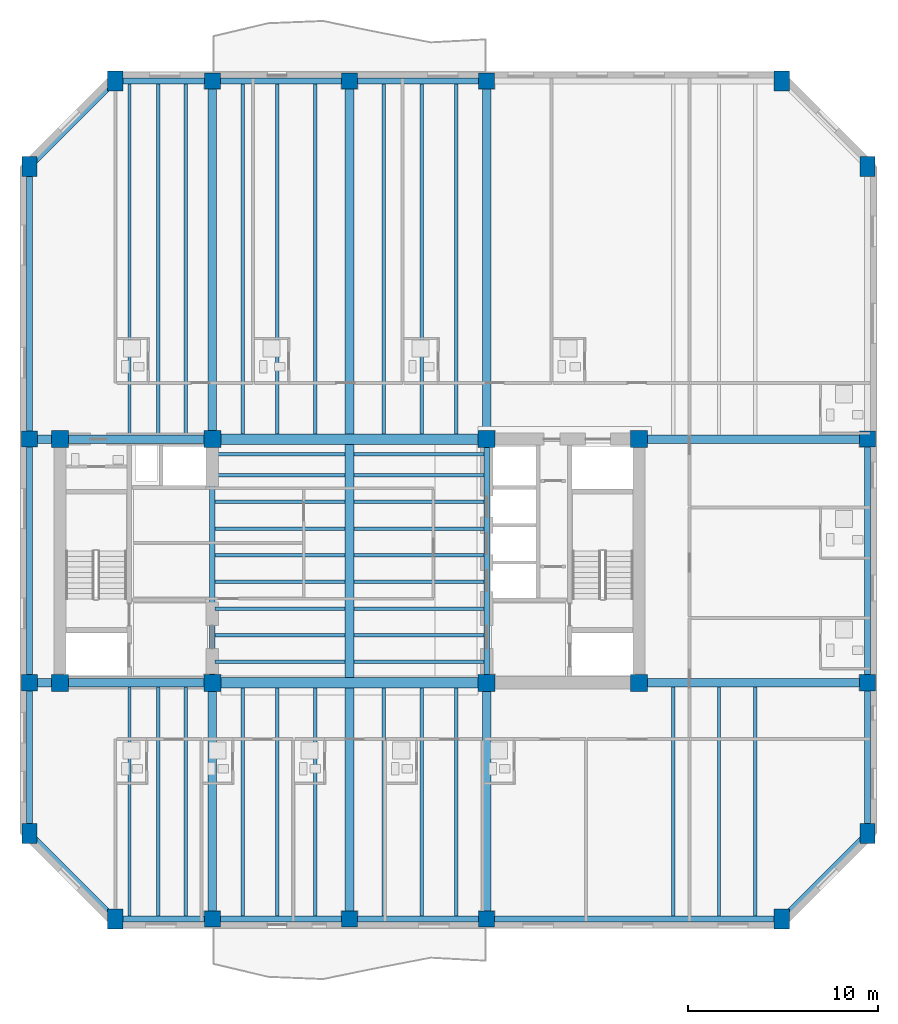
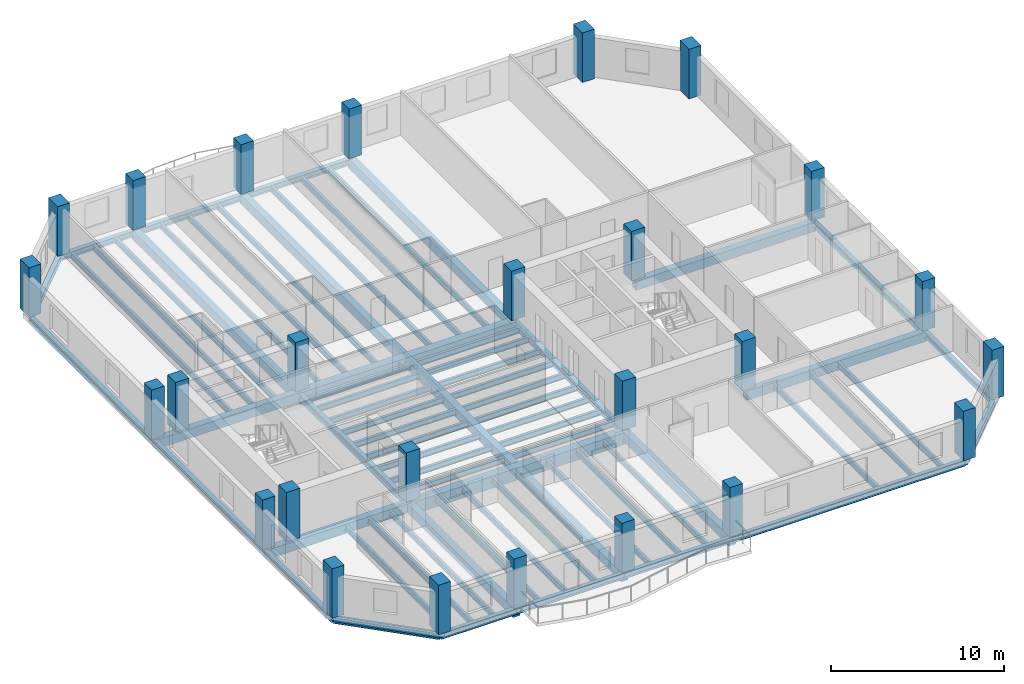
# One storey, part 1 of 11: 69 beams, 26 columns.
"""IFC4 building model written with IfcOpenShell, lengths in metres."""

from ifc_helpers import new_model, si_unit, direction, frame, origin, origin_2d, place, context, subcontext, project, spatial, rectangle, i_section, extrude, material, material_profile, profile_set, type_object, element, save


model = new_model("IFC4")

# Units and contexts
model_context = context("Model", 3, precision=1e-05, world=origin(), true_north=direction((0.0, 1.0)))
body_context = subcontext(model_context, "Body", "Model", "MODEL_VIEW")
ifc_project = project(units=[si_unit("LENGTHUNIT", "METRE"), si_unit("AREAUNIT", "SQUARE_METRE"), si_unit("VOLUMEUNIT", "CUBIC_METRE"), si_unit("PLANEANGLEUNIT", "RADIAN"), si_unit("MASSUNIT", "GRAM", prefix="KILO")], contexts=[model_context])

# Site, building, storey
site_placement = place(None, origin())
site = spatial("IfcSite", under=ifc_project, at=site_placement, CompositionType="ELEMENT")
building_placement = place(site_placement, origin())
building = spatial("IfcBuilding", under=site, at=building_placement, Name="Kranthara Brick Stack", CompositionType="ELEMENT")
storey_placement = place(building_placement, frame((0.0, 0.0, 172.800048828125)))
storey = spatial("IfcBuildingStorey", under=building, at=storey_placement, Name="L44", CompositionType="ELEMENT", Elevation=172.800048828125)

# Columns
ifc_material_1 = material(Name="Concrete C60/75", Category="concrete")
ifc_material_profile_1 = material_profile(ifc_material_1, rectangle(XDim=0.800048828125, YDim=1.050048828125, at=origin_2d()), Name="RC 800x1050")
ifc_profile_set_1 = profile_set([ifc_material_profile_1], Name="Concrete C60/75")
column_type_1 = type_object("IfcColumnType", Name="COL-CHAM-800x1050", PredefinedType="COLUMN", material=ifc_profile_set_1)
for number, where, z_axis, x_axis, name in (
    (1, (15.699951171875, 8.39990234375, 0.0), (0.0, 0.0, 1.0), (1.0, 0.0, 0.0), "L44 Column 09"),
    (2, (15.699951171875, 52.39990234375, 0.0), (0.0, 0.0, 1.0), (1.0, 0.0, 0.0), "L44 Column 10"),
    (3, (50.699951171875, 8.39990234375, 0.0), (0.0, 0.0, 1.0), (1.0, 0.0, 0.0), "L44 Column 17"),
    (4, (50.699951171875, 52.39990234375, 0.0), (0.0, 0.0, 1.0), (1.0, 0.0, 0.0), "L44 Column 18"),
    (5, (11.199951171875, 12.89990234375, 0.0), (0.0, 0.0, 1.0), (1.0, 0.0, 0.0), "L44 Column 19"),
    (6, (55.199951171875, 12.89990234375, 0.0), (0.0, 0.0, 1.0), (1.0, 0.0, 0.0), "L44 Column 20"),
    (7, (11.199951171875, 47.89990234375, 0.0), (0.0, 0.0, 1.0), (1.0, 0.0, 0.0), "L44 Column 25"),
    (8, (55.199951171875, 47.89990234375, 0.0), (0.0, 0.0, 1.0), (1.0, 0.0, 0.0), "L44 Column 26"),
):
    element("IfcColumn", number, at=place(storey_placement, frame(where, z_axis=z_axis, x_axis=x_axis)), inside=storey, type_object=column_type_1, Name=name, PredefinedType="COLUMN", context=body_context, shape_type="SweptSolid", body=[
        extrude(rectangle(XDim=0.800048828125, YDim=1.050048828125, at=origin_2d()), origin(), (0.0, 0.0, 1.0), 3.5),
    ])
ifc_material_2 = material(Name="Concrete C60/75", Category="concrete")
ifc_material_profile_2 = material_profile(ifc_material_2, rectangle(XDim=0.89990234375, YDim=0.89990234375, at=origin_2d()), Name="RC 900x900")
ifc_profile_set_2 = profile_set([ifc_material_profile_2], Name="Concrete C60/75")
column_type_2 = type_object("IfcColumnType", Name="COL-CORE-900", PredefinedType="COLUMN", material=ifc_profile_set_2)
for number, where, z_axis, x_axis, name in (
    (9, (12.800048828125, 20.800048828125, 0.0), (0.0, 0.0, 1.0), (1.0, 0.0, 0.0), "L44 Column 01"),
    (10, (20.800048828125, 20.800048828125, 0.0), (0.0, 0.0, 1.0), (1.0, 0.0, 0.0), "L44 Column 02"),
    (11, (12.800048828125, 33.60009765625, 0.0), (0.0, 0.0, 1.0), (1.0, 0.0, 0.0), "L44 Column 03"),
    (12, (20.800048828125, 33.60009765625, 0.0), (0.0, 0.0, 1.0), (1.0, 0.0, 0.0), "L44 Column 04"),
    (13, (35.199951171875, 20.800048828125, 0.0), (0.0, 0.0, 1.0), (1.0, 0.0, 0.0), "L44 Column 05"),
    (14, (43.199951171875, 20.800048828125, 0.0), (0.0, 0.0, 1.0), (1.0, 0.0, 0.0), "L44 Column 06"),
    (15, (35.199951171875, 33.60009765625, 0.0), (0.0, 0.0, 1.0), (1.0, 0.0, 0.0), "L44 Column 07"),
    (16, (43.199951171875, 33.60009765625, 0.0), (0.0, 0.0, 1.0), (1.0, 0.0, 0.0), "L44 Column 08"),
):
    element("IfcColumn", number, at=place(storey_placement, frame(where, z_axis=z_axis, x_axis=x_axis)), inside=storey, type_object=column_type_2, Name=name, PredefinedType="COLUMN", context=body_context, shape_type="SweptSolid", body=[
        extrude(rectangle(XDim=0.89990234375, YDim=0.89990234375, at=origin_2d()), origin(), (0.0, 0.0, 1.0), 3.5),
    ])
ifc_material_3 = material(Name="Concrete C50/60", Category="concrete")
ifc_material_profile_3 = material_profile(ifc_material_3, rectangle(XDim=0.85009765625, YDim=0.85009765625, at=origin_2d()), Name="RC 850x850")
ifc_profile_set_3 = profile_set([ifc_material_profile_3], Name="Concrete C50/60")
column_type_3 = type_object("IfcColumnType", Name="COL-PER-850", PredefinedType="COLUMN", material=ifc_profile_set_3)
for number, where, z_axis, x_axis, name in (
    (17, (20.800048828125, 8.39990234375, 0.0), (0.0, 0.0, 1.0), (1.0, 0.0, 0.0), "L44 Column 11"),
    (18, (20.800048828125, 52.39990234375, 0.0), (0.0, 0.0, 1.0), (1.0, 0.0, 0.0), "L44 Column 12"),
    (19, (28.0, 8.39990234375, 0.0), (0.0, 0.0, 1.0), (1.0, 0.0, 0.0), "L44 Column 13"),
    (20, (28.0, 52.39990234375, 0.0), (0.0, 0.0, 1.0), (1.0, 0.0, 0.0), "L44 Column 14"),
    (21, (35.199951171875, 8.39990234375, 0.0), (0.0, 0.0, 1.0), (1.0, 0.0, 0.0), "L44 Column 15"),
    (22, (35.199951171875, 52.39990234375, 0.0), (0.0, 0.0, 1.0), (1.0, 0.0, 0.0), "L44 Column 16"),
    (23, (11.199951171875, 20.800048828125, 0.0), (0.0, 0.0, 1.0), (1.0, 0.0, 0.0), "L44 Column 21"),
    (24, (55.199951171875, 20.800048828125, 0.0), (0.0, 0.0, 1.0), (1.0, 0.0, 0.0), "L44 Column 22"),
    (25, (11.199951171875, 33.60009765625, 0.0), (0.0, 0.0, 1.0), (1.0, 0.0, 0.0), "L44 Column 23"),
    (26, (55.199951171875, 33.60009765625, 0.0), (0.0, 0.0, 1.0), (1.0, 0.0, 0.0), "L44 Column 24"),
):
    element("IfcColumn", number, at=place(storey_placement, frame(where, z_axis=z_axis, x_axis=x_axis)), inside=storey, type_object=column_type_3, Name=name, PredefinedType="COLUMN", context=body_context, shape_type="SweptSolid", body=[
        extrude(rectangle(XDim=0.85009765625, YDim=0.85009765625, at=origin_2d()), origin(), (0.0, 0.0, 1.0), 3.5),
    ])

# Beams
ifc_material_4 = material(Name="Concrete C50/60", Category="concrete")
ifc_material_profile_4 = material_profile(ifc_material_4, rectangle(XDim=0.550048828125, YDim=0.85009765625, at=origin_2d()), Name="RC 550x850")
ifc_profile_set_4 = profile_set([ifc_material_profile_4], Name="Concrete C50/60")
beam_type_1 = type_object("IfcBeamType", Name="BM-CPL-RC850", PredefinedType="LINTEL", material=ifc_profile_set_4)
for number, where, z_axis, x_axis, name in (
    (27, (20.800048828125, 20.800048828125, -0.72509765625), (1.0, 0.0, 0.0), (0.0, 1.0, 0.0), "L44 Core Coupling Beam 001"),
    (28, (20.800048828125, 33.60009765625, -0.72509765625), (1.0, 0.0, 0.0), (0.0, 1.0, 0.0), "L44 Core Coupling Beam 002"),
):
    element("IfcBeam", number, at=place(storey_placement, frame(where, z_axis=z_axis, x_axis=x_axis)), inside=storey, type_object=beam_type_1, Name=name, PredefinedType="LINTEL", context=body_context, shape_type="SweptSolid", body=[
        extrude(rectangle(XDim=0.550048828125, YDim=0.85009765625, at=origin_2d()), origin(), (0.0, 0.0, 1.0), 14.39990234375),
    ])
ifc_material_5 = material(Name="Post-tensioned concrete C45/55", Category="concrete")
ifc_material_profile_5 = material_profile(ifc_material_5, rectangle(XDim=0.449951171875, YDim=0.64990234375, at=origin_2d()), Name="PT 450x650")
ifc_profile_set_5 = profile_set([ifc_material_profile_5], Name="Post-tensioned concrete C45/55")
beam_type_2 = type_object("IfcBeamType", Name="BM-FLR-PT650", PredefinedType="BEAM", material=ifc_profile_set_5)
beam_1_placement = place(storey_placement, frame((20.800048828125, 8.39990234375, -0.625), z_axis=(0.0, 1.0, 0.0), x_axis=(-1.0, 0.0, 0.0)))
element("IfcBeam", 29, at=beam_1_placement, inside=storey, type_object=beam_type_2, Name="L44 Primary Grid Girder 023", PredefinedType="BEAM", context=body_context, shape_type="SweptSolid", body=[
    extrude(rectangle(XDim=0.449951171875, YDim=0.64990234375, at=origin_2d()), origin(), (0.0, 0.0, 1.0), 12.400146484375),
])
beam_2_placement = place(storey_placement, frame((20.800048828125, 33.60009765625, -0.625), z_axis=(0.0, 1.0, 0.0), x_axis=(-1.0, 0.0, 0.0)))
element("IfcBeam", 30, at=beam_2_placement, inside=storey, type_object=beam_type_2, Name="L44 Primary Grid Girder 024", PredefinedType="BEAM", context=body_context, shape_type="SweptSolid", body=[
    extrude(rectangle(XDim=0.449951171875, YDim=0.64990234375, at=origin_2d()), origin(), (0.0, 0.0, 1.0), 18.7998046875),
])
beam_3_placement = place(storey_placement, frame((28.0, 8.39990234375, -0.625), z_axis=(0.0, 1.0, 0.0), x_axis=(-1.0, 0.0, 0.0)))
element("IfcBeam", 31, at=beam_3_placement, inside=storey, type_object=beam_type_2, Name="L44 Primary Grid Girder 025", PredefinedType="BEAM", context=body_context, shape_type="SweptSolid", body=[
    extrude(rectangle(XDim=0.449951171875, YDim=0.64990234375, at=origin_2d()), origin(), (0.0, 0.0, 1.0), 12.125),
])
beam_4_placement = place(storey_placement, frame((28.0, 21.074951171875, -0.625), z_axis=(0.0, 1.0, 0.0), x_axis=(-1.0, 0.0, 0.0)))
element("IfcBeam", 32, at=beam_4_placement, inside=storey, type_object=beam_type_2, Name="L44 Central Spine Girder 026", PredefinedType="BEAM", context=body_context, shape_type="SweptSolid", body=[
    extrude(rectangle(XDim=0.449951171875, YDim=0.64990234375, at=origin_2d()), origin(), (0.0, 0.0, 1.0), 12.25),
])
beam_5_placement = place(storey_placement, frame((28.0, 33.875, -0.625), z_axis=(0.0, 1.0, 0.0), x_axis=(-1.0, 0.0, 0.0)))
element("IfcBeam", 33, at=beam_5_placement, inside=storey, type_object=beam_type_2, Name="L44 Primary Grid Girder 027", PredefinedType="BEAM", context=body_context, shape_type="SweptSolid", body=[
    extrude(rectangle(XDim=0.449951171875, YDim=0.64990234375, at=origin_2d()), origin(), (0.0, 0.0, 1.0), 18.52490234375),
])
beam_6_placement = place(storey_placement, frame((35.199951171875, 8.39990234375, -0.625), z_axis=(0.0, 1.0, 0.0), x_axis=(-1.0, 0.0, 0.0)))
element("IfcBeam", 34, at=beam_6_placement, inside=storey, type_object=beam_type_2, Name="L44 Primary Grid Girder 028", PredefinedType="BEAM", context=body_context, shape_type="SweptSolid", body=[
    extrude(rectangle(XDim=0.449951171875, YDim=0.64990234375, at=origin_2d()), origin(), (0.0, 0.0, 1.0), 12.400146484375),
])
beam_7_placement = place(storey_placement, frame((35.199951171875, 33.60009765625, -0.625), z_axis=(0.0, 1.0, 0.0), x_axis=(-1.0, 0.0, 0.0)))
element("IfcBeam", 35, at=beam_7_placement, inside=storey, type_object=beam_type_2, Name="L44 Primary Grid Girder 029", PredefinedType="BEAM", context=body_context, shape_type="SweptSolid", body=[
    extrude(rectangle(XDim=0.449951171875, YDim=0.64990234375, at=origin_2d()), origin(), (0.0, 0.0, 1.0), 18.7998046875),
])
beam_8_placement = place(storey_placement, frame((11.199951171875, 20.800048828125, -0.625), z_axis=(1.0, 0.0, 0.0), x_axis=(0.0, 1.0, 0.0)))
element("IfcBeam", 36, at=beam_8_placement, inside=storey, type_object=beam_type_2, Name="L44 Primary Grid Girder 030", PredefinedType="BEAM", context=body_context, shape_type="SweptSolid", body=[
    extrude(rectangle(XDim=0.449951171875, YDim=0.64990234375, at=origin_2d()), origin(), (0.0, 0.0, 1.0), 9.60009765625),
])
beam_9_placement = place(storey_placement, frame((43.199951171875, 20.800048828125, -0.625), z_axis=(1.0, 0.0, 0.0), x_axis=(0.0, 1.0, 0.0)))
element("IfcBeam", 37, at=beam_9_placement, inside=storey, type_object=beam_type_2, Name="L44 Primary Grid Girder 031", PredefinedType="BEAM", context=body_context, shape_type="SweptSolid", body=[
    extrude(rectangle(XDim=0.449951171875, YDim=0.64990234375, at=origin_2d()), origin(), (0.0, 0.0, 1.0), 12.0),
])
beam_10_placement = place(storey_placement, frame((11.199951171875, 33.60009765625, -0.625), z_axis=(1.0, 0.0, 0.0), x_axis=(0.0, 1.0, 0.0)))
element("IfcBeam", 38, at=beam_10_placement, inside=storey, type_object=beam_type_2, Name="L44 Primary Grid Girder 032", PredefinedType="BEAM", context=body_context, shape_type="SweptSolid", body=[
    extrude(rectangle(XDim=0.449951171875, YDim=0.64990234375, at=origin_2d()), origin(), (0.0, 0.0, 1.0), 9.60009765625),
])
beam_11_placement = place(storey_placement, frame((43.199951171875, 33.60009765625, -0.625), z_axis=(1.0, 0.0, 0.0), x_axis=(0.0, 1.0, 0.0)))
element("IfcBeam", 39, at=beam_11_placement, inside=storey, type_object=beam_type_2, Name="L44 Primary Grid Girder 033", PredefinedType="BEAM", context=body_context, shape_type="SweptSolid", body=[
    extrude(rectangle(XDim=0.449951171875, YDim=0.64990234375, at=origin_2d()), origin(), (0.0, 0.0, 1.0), 12.0),
])
ifc_material_6 = material(Name="Steel S355", Category="steel")
ifc_material_profile_6 = material_profile(ifc_material_6, i_section(OverallWidth=0.179931640625, OverallDepth=0.39990234375, WebThickness=0.008544921875, FlangeThickness=0.013427734375, at=origin_2d()), Name="IPE 400")
ifc_profile_set_6 = profile_set([ifc_material_profile_6], Name="Steel S355")
beam_type_3 = type_object("IfcBeamType", Name="BM-JST-IPE400", PredefinedType="JOIST", material=ifc_profile_set_6)
for number, where, z_axis, x_axis, name in (
    (40, (20.949951171875, 21.89990234375, -0.5), (1.0, 0.0, 0.0), (0.0, 1.0, 0.0), "L44 Central Floor Joist 034"),
    (41, (28.22509765625, 21.89990234375, -0.5), (1.0, 0.0, 0.0), (0.0, 1.0, 0.0), "L44 Central Floor Joist 035"),
    (42, (20.949951171875, 23.300048828125, -0.5), (1.0, 0.0, 0.0), (0.0, 1.0, 0.0), "L44 Central Floor Joist 036"),
    (43, (28.22509765625, 23.300048828125, -0.5), (1.0, 0.0, 0.0), (0.0, 1.0, 0.0), "L44 Central Floor Joist 037"),
    (44, (20.949951171875, 24.699951171875, -0.5), (1.0, 0.0, 0.0), (0.0, 1.0, 0.0), "L44 Central Floor Joist 038"),
    (45, (28.22509765625, 24.699951171875, -0.5), (1.0, 0.0, 0.0), (0.0, 1.0, 0.0), "L44 Central Floor Joist 039"),
    (46, (20.949951171875, 26.10009765625, -0.5), (1.0, 0.0, 0.0), (0.0, 1.0, 0.0), "L44 Central Floor Joist 040"),
    (47, (28.22509765625, 26.10009765625, -0.5), (1.0, 0.0, 0.0), (0.0, 1.0, 0.0), "L44 Central Floor Joist 041"),
    (48, (20.949951171875, 27.5, -0.5), (1.0, 0.0, 0.0), (0.0, 1.0, 0.0), "L44 Central Floor Joist 042"),
    (49, (28.22509765625, 27.5, -0.5), (1.0, 0.0, 0.0), (0.0, 1.0, 0.0), "L44 Central Floor Joist 043"),
    (50, (20.949951171875, 28.89990234375, -0.5), (1.0, 0.0, 0.0), (0.0, 1.0, 0.0), "L44 Central Floor Joist 044"),
    (51, (28.22509765625, 28.89990234375, -0.5), (1.0, 0.0, 0.0), (0.0, 1.0, 0.0), "L44 Central Floor Joist 045"),
    (52, (20.949951171875, 30.300048828125, -0.5), (1.0, 0.0, 0.0), (0.0, 1.0, 0.0), "L44 Central Floor Joist 046"),
    (53, (28.22509765625, 30.300048828125, -0.5), (1.0, 0.0, 0.0), (0.0, 1.0, 0.0), "L44 Central Floor Joist 047"),
    (54, (20.949951171875, 31.699951171875, -0.5), (1.0, 0.0, 0.0), (0.0, 1.0, 0.0), "L44 Central Floor Joist 048"),
    (55, (28.22509765625, 31.699951171875, -0.5), (1.0, 0.0, 0.0), (0.0, 1.0, 0.0), "L44 Central Floor Joist 049"),
    (56, (20.949951171875, 32.800048828125, -0.5), (1.0, 0.0, 0.0), (0.0, 1.0, 0.0), "L44 Central Floor Joist 050"),
    (57, (28.22509765625, 32.800048828125, -0.5), (1.0, 0.0, 0.0), (0.0, 1.0, 0.0), "L44 Central Floor Joist 051"),
):
    element("IfcBeam", number, at=place(storey_placement, frame(where, z_axis=z_axis, x_axis=x_axis)), inside=storey, type_object=beam_type_3, Name=name, PredefinedType="JOIST", context=body_context, shape_type="SweptSolid", body=[
        extrude(i_section(OverallWidth=0.179931640625, OverallDepth=0.39990234375, WebThickness=0.008544921875, FlangeThickness=0.013427734375, at=origin_2d()), origin(), (0.0, 0.0, 1.0), 6.824951171875),
    ])
beam_12_placement = place(storey_placement, frame((16.449951171875, 8.550048828125, -0.5), z_axis=(0.0, 1.0, 0.0), x_axis=(-1.0, 0.0, 0.0)))
element("IfcBeam", 58, at=beam_12_placement, inside=storey, type_object=beam_type_3, Name="L44 South Wing Floor Joist 052", PredefinedType="JOIST", context=body_context, shape_type="SweptSolid", body=[
    extrude(i_section(OverallWidth=0.179931640625, OverallDepth=0.39990234375, WebThickness=0.008544921875, FlangeThickness=0.013427734375, at=origin_2d()), origin(), (0.0, 0.0, 1.0), 12.02490234375),
])
beam_13_placement = place(storey_placement, frame((16.449951171875, 33.824951171875, -0.5), z_axis=(0.0, 1.0, 0.0), x_axis=(-1.0, 0.0, 0.0)))
element("IfcBeam", 59, at=beam_13_placement, inside=storey, type_object=beam_type_3, Name="L44 North Wing Floor Joist 053", PredefinedType="JOIST", context=body_context, shape_type="SweptSolid", body=[
    extrude(i_section(OverallWidth=0.179931640625, OverallDepth=0.39990234375, WebThickness=0.008544921875, FlangeThickness=0.013427734375, at=origin_2d()), origin(), (0.0, 0.0, 1.0), 18.425048828125),
])
beam_14_placement = place(storey_placement, frame((17.949951171875, 8.550048828125, -0.5), z_axis=(0.0, 1.0, 0.0), x_axis=(-1.0, 0.0, 0.0)))
element("IfcBeam", 60, at=beam_14_placement, inside=storey, type_object=beam_type_3, Name="L44 South Wing Floor Joist 054", PredefinedType="JOIST", context=body_context, shape_type="SweptSolid", body=[
    extrude(i_section(OverallWidth=0.179931640625, OverallDepth=0.39990234375, WebThickness=0.008544921875, FlangeThickness=0.013427734375, at=origin_2d()), origin(), (0.0, 0.0, 1.0), 12.02490234375),
])
beam_15_placement = place(storey_placement, frame((17.949951171875, 33.824951171875, -0.5), z_axis=(0.0, 1.0, 0.0), x_axis=(-1.0, 0.0, 0.0)))
element("IfcBeam", 61, at=beam_15_placement, inside=storey, type_object=beam_type_3, Name="L44 North Wing Floor Joist 055", PredefinedType="JOIST", context=body_context, shape_type="SweptSolid", body=[
    extrude(i_section(OverallWidth=0.179931640625, OverallDepth=0.39990234375, WebThickness=0.008544921875, FlangeThickness=0.013427734375, at=origin_2d()), origin(), (0.0, 0.0, 1.0), 18.425048828125),
])
beam_16_placement = place(storey_placement, frame((19.39990234375, 8.550048828125, -0.5), z_axis=(0.0, 1.0, 0.0), x_axis=(-1.0, 0.0, 0.0)))
element("IfcBeam", 62, at=beam_16_placement, inside=storey, type_object=beam_type_3, Name="L44 South Wing Floor Joist 056", PredefinedType="JOIST", context=body_context, shape_type="SweptSolid", body=[
    extrude(i_section(OverallWidth=0.179931640625, OverallDepth=0.39990234375, WebThickness=0.008544921875, FlangeThickness=0.013427734375, at=origin_2d()), origin(), (0.0, 0.0, 1.0), 12.02490234375),
])
beam_17_placement = place(storey_placement, frame((19.39990234375, 33.824951171875, -0.5), z_axis=(0.0, 1.0, 0.0), x_axis=(-1.0, 0.0, 0.0)))
element("IfcBeam", 63, at=beam_17_placement, inside=storey, type_object=beam_type_3, Name="L44 North Wing Floor Joist 057", PredefinedType="JOIST", context=body_context, shape_type="SweptSolid", body=[
    extrude(i_section(OverallWidth=0.179931640625, OverallDepth=0.39990234375, WebThickness=0.008544921875, FlangeThickness=0.013427734375, at=origin_2d()), origin(), (0.0, 0.0, 1.0), 18.425048828125),
])
beam_18_placement = place(storey_placement, frame((22.39990234375, 8.550048828125, -0.5), z_axis=(0.0, 1.0, 0.0), x_axis=(-1.0, 0.0, 0.0)))
element("IfcBeam", 64, at=beam_18_placement, inside=storey, type_object=beam_type_3, Name="L44 South Wing Floor Joist 058", PredefinedType="JOIST", context=body_context, shape_type="SweptSolid", body=[
    extrude(i_section(OverallWidth=0.179931640625, OverallDepth=0.39990234375, WebThickness=0.008544921875, FlangeThickness=0.013427734375, at=origin_2d()), origin(), (0.0, 0.0, 1.0), 11.974853515625),
])
beam_19_placement = place(storey_placement, frame((22.39990234375, 33.875, -0.5), z_axis=(0.0, 1.0, 0.0), x_axis=(-1.0, 0.0, 0.0)))
element("IfcBeam", 65, at=beam_19_placement, inside=storey, type_object=beam_type_3, Name="L44 North Wing Floor Joist 059", PredefinedType="JOIST", context=body_context, shape_type="SweptSolid", body=[
    extrude(i_section(OverallWidth=0.179931640625, OverallDepth=0.39990234375, WebThickness=0.008544921875, FlangeThickness=0.013427734375, at=origin_2d()), origin(), (0.0, 0.0, 1.0), 18.375),
])
beam_20_placement = place(storey_placement, frame((24.199951171875, 8.550048828125, -0.5), z_axis=(0.0, 1.0, 0.0), x_axis=(-1.0, 0.0, 0.0)))
element("IfcBeam", 66, at=beam_20_placement, inside=storey, type_object=beam_type_3, Name="L44 South Wing Floor Joist 060", PredefinedType="JOIST", context=body_context, shape_type="SweptSolid", body=[
    extrude(i_section(OverallWidth=0.179931640625, OverallDepth=0.39990234375, WebThickness=0.008544921875, FlangeThickness=0.013427734375, at=origin_2d()), origin(), (0.0, 0.0, 1.0), 11.974853515625),
])
beam_21_placement = place(storey_placement, frame((24.199951171875, 33.875, -0.5), z_axis=(0.0, 1.0, 0.0), x_axis=(-1.0, 0.0, 0.0)))
element("IfcBeam", 67, at=beam_21_placement, inside=storey, type_object=beam_type_3, Name="L44 North Wing Floor Joist 061", PredefinedType="JOIST", context=body_context, shape_type="SweptSolid", body=[
    extrude(i_section(OverallWidth=0.179931640625, OverallDepth=0.39990234375, WebThickness=0.008544921875, FlangeThickness=0.013427734375, at=origin_2d()), origin(), (0.0, 0.0, 1.0), 18.375),
])
beam_22_placement = place(storey_placement, frame((26.199951171875, 8.550048828125, -0.5), z_axis=(0.0, 1.0, 0.0), x_axis=(-1.0, 0.0, 0.0)))
element("IfcBeam", 68, at=beam_22_placement, inside=storey, type_object=beam_type_3, Name="L44 South Wing Floor Joist 062", PredefinedType="JOIST", context=body_context, shape_type="SweptSolid", body=[
    extrude(i_section(OverallWidth=0.179931640625, OverallDepth=0.39990234375, WebThickness=0.008544921875, FlangeThickness=0.013427734375, at=origin_2d()), origin(), (0.0, 0.0, 1.0), 11.974853515625),
])
beam_23_placement = place(storey_placement, frame((26.199951171875, 33.875, -0.5), z_axis=(0.0, 1.0, 0.0), x_axis=(-1.0, 0.0, 0.0)))
element("IfcBeam", 69, at=beam_23_placement, inside=storey, type_object=beam_type_3, Name="L44 North Wing Floor Joist 063", PredefinedType="JOIST", context=body_context, shape_type="SweptSolid", body=[
    extrude(i_section(OverallWidth=0.179931640625, OverallDepth=0.39990234375, WebThickness=0.008544921875, FlangeThickness=0.013427734375, at=origin_2d()), origin(), (0.0, 0.0, 1.0), 18.375),
])
beam_24_placement = place(storey_placement, frame((29.800048828125, 8.550048828125, -0.5), z_axis=(0.0, 1.0, 0.0), x_axis=(-1.0, 0.0, 0.0)))
element("IfcBeam", 70, at=beam_24_placement, inside=storey, type_object=beam_type_3, Name="L44 South Wing Floor Joist 064", PredefinedType="JOIST", context=body_context, shape_type="SweptSolid", body=[
    extrude(i_section(OverallWidth=0.179931640625, OverallDepth=0.39990234375, WebThickness=0.008544921875, FlangeThickness=0.013427734375, at=origin_2d()), origin(), (0.0, 0.0, 1.0), 11.974853515625),
])
beam_25_placement = place(storey_placement, frame((29.800048828125, 33.875, -0.5), z_axis=(0.0, 1.0, 0.0), x_axis=(-1.0, 0.0, 0.0)))
element("IfcBeam", 71, at=beam_25_placement, inside=storey, type_object=beam_type_3, Name="L44 North Wing Floor Joist 065", PredefinedType="JOIST", context=body_context, shape_type="SweptSolid", body=[
    extrude(i_section(OverallWidth=0.179931640625, OverallDepth=0.39990234375, WebThickness=0.008544921875, FlangeThickness=0.013427734375, at=origin_2d()), origin(), (0.0, 0.0, 1.0), 18.375),
])
beam_26_placement = place(storey_placement, frame((31.800048828125, 8.550048828125, -0.5), z_axis=(0.0, 1.0, 0.0), x_axis=(-1.0, 0.0, 0.0)))
element("IfcBeam", 72, at=beam_26_placement, inside=storey, type_object=beam_type_3, Name="L44 South Wing Floor Joist 066", PredefinedType="JOIST", context=body_context, shape_type="SweptSolid", body=[
    extrude(i_section(OverallWidth=0.179931640625, OverallDepth=0.39990234375, WebThickness=0.008544921875, FlangeThickness=0.013427734375, at=origin_2d()), origin(), (0.0, 0.0, 1.0), 11.974853515625),
])
beam_27_placement = place(storey_placement, frame((31.800048828125, 33.875, -0.5), z_axis=(0.0, 1.0, 0.0), x_axis=(-1.0, 0.0, 0.0)))
element("IfcBeam", 73, at=beam_27_placement, inside=storey, type_object=beam_type_3, Name="L44 North Wing Floor Joist 067", PredefinedType="JOIST", context=body_context, shape_type="SweptSolid", body=[
    extrude(i_section(OverallWidth=0.179931640625, OverallDepth=0.39990234375, WebThickness=0.008544921875, FlangeThickness=0.013427734375, at=origin_2d()), origin(), (0.0, 0.0, 1.0), 18.375),
])
beam_28_placement = place(storey_placement, frame((33.60009765625, 8.550048828125, -0.5), z_axis=(0.0, 1.0, 0.0), x_axis=(-1.0, 0.0, 0.0)))
element("IfcBeam", 74, at=beam_28_placement, inside=storey, type_object=beam_type_3, Name="L44 South Wing Floor Joist 068", PredefinedType="JOIST", context=body_context, shape_type="SweptSolid", body=[
    extrude(i_section(OverallWidth=0.179931640625, OverallDepth=0.39990234375, WebThickness=0.008544921875, FlangeThickness=0.013427734375, at=origin_2d()), origin(), (0.0, 0.0, 1.0), 11.974853515625),
])
beam_29_placement = place(storey_placement, frame((33.60009765625, 33.875, -0.5), z_axis=(0.0, 1.0, 0.0), x_axis=(-1.0, 0.0, 0.0)))
element("IfcBeam", 75, at=beam_29_placement, inside=storey, type_object=beam_type_3, Name="L44 North Wing Floor Joist 069", PredefinedType="JOIST", context=body_context, shape_type="SweptSolid", body=[
    extrude(i_section(OverallWidth=0.179931640625, OverallDepth=0.39990234375, WebThickness=0.008544921875, FlangeThickness=0.013427734375, at=origin_2d()), origin(), (0.0, 0.0, 1.0), 18.375),
])
for number, where, z_axis, x_axis, name in (
    (76, (45.0, 8.550048828125, -0.5), (0.0, 1.0, 0.0), (-1.0, 0.0, 0.0), "L44 South Wing Floor Joist 070"),
    (77, (47.39990234375, 8.550048828125, -0.5), (0.0, 1.0, 0.0), (-1.0, 0.0, 0.0), "L44 South Wing Floor Joist 072"),
    (78, (49.300048828125, 8.550048828125, -0.5), (0.0, 1.0, 0.0), (-1.0, 0.0, 0.0), "L44 South Wing Floor Joist 074"),
):
    element("IfcBeam", number, at=place(storey_placement, frame(where, z_axis=z_axis, x_axis=x_axis)), inside=storey, type_object=beam_type_3, Name=name, PredefinedType="JOIST", context=body_context, shape_type="SweptSolid", body=[
        extrude(i_section(OverallWidth=0.179931640625, OverallDepth=0.39990234375, WebThickness=0.008544921875, FlangeThickness=0.013427734375, at=origin_2d()), origin(), (0.0, 0.0, 1.0), 12.02490234375),
    ])
ifc_material_7 = material(Name="Steel S355", Category="steel")
ifc_material_profile_7 = material_profile(ifc_material_7, i_section(OverallWidth=0.300048828125, OverallDepth=0.39990234375, WebThickness=0.013427734375, FlangeThickness=0.02392578125, at=origin_2d()), Name="HEB 400")
ifc_profile_set_7 = profile_set([ifc_material_profile_7], Name="Steel S355")
beam_type_4 = type_object("IfcBeamType", Name="BM-STL-HEB400", PredefinedType="SPANDREL", material=ifc_profile_set_7)
beam_30_placement = place(storey_placement, frame((15.699951171875, 8.39990234375, -0.5), z_axis=(1.0, 0.0, 0.0), x_axis=(0.0, 1.0, 0.0)))
element("IfcBeam", 79, at=beam_30_placement, inside=storey, type_object=beam_type_4, Name="L44 Perimeter Spandrel Beam 005", PredefinedType="SPANDREL", context=body_context, shape_type="SweptSolid", body=[
    extrude(i_section(OverallWidth=0.300048828125, OverallDepth=0.39990234375, WebThickness=0.013427734375, FlangeThickness=0.02392578125, at=origin_2d()), origin(), (0.0, 0.0, 1.0), 5.10009765625),
])
for number, where, z_axis, x_axis, name in (
    (80, (20.800048828125, 8.39990234375, -0.5), (1.0, 0.0, 0.0), (0.0, 1.0, 0.0), "L44 Perimeter Spandrel Beam 006"),
    (81, (28.0, 8.39990234375, -0.5), (1.0, 0.0, 0.0), (0.0, 1.0, 0.0), "L44 Perimeter Spandrel Beam 007"),
):
    element("IfcBeam", number, at=place(storey_placement, frame(where, z_axis=z_axis, x_axis=x_axis)), inside=storey, type_object=beam_type_4, Name=name, PredefinedType="SPANDREL", context=body_context, shape_type="SweptSolid", body=[
        extrude(i_section(OverallWidth=0.300048828125, OverallDepth=0.39990234375, WebThickness=0.013427734375, FlangeThickness=0.02392578125, at=origin_2d()), origin(), (0.0, 0.0, 1.0), 7.199951171875),
    ])
beam_31_placement = place(storey_placement, frame((35.199951171875, 8.39990234375, -0.5), z_axis=(1.0, 0.0, 0.0), x_axis=(0.0, 1.0, 0.0)))
element("IfcBeam", 82, at=beam_31_placement, inside=storey, type_object=beam_type_4, Name="L44 Perimeter Spandrel Beam 008", PredefinedType="SPANDREL", context=body_context, shape_type="SweptSolid", body=[
    extrude(i_section(OverallWidth=0.300048828125, OverallDepth=0.39990234375, WebThickness=0.013427734375, FlangeThickness=0.02392578125, at=origin_2d()), origin(), (0.0, 0.0, 1.0), 15.5),
])
beam_32_placement = place(storey_placement, frame((15.699951171875, 52.39990234375, -0.5), z_axis=(1.0, 0.0, 0.0), x_axis=(0.0, 1.0, 0.0)))
element("IfcBeam", 83, at=beam_32_placement, inside=storey, type_object=beam_type_4, Name="L44 Perimeter Spandrel Beam 009", PredefinedType="SPANDREL", context=body_context, shape_type="SweptSolid", body=[
    extrude(i_section(OverallWidth=0.300048828125, OverallDepth=0.39990234375, WebThickness=0.013427734375, FlangeThickness=0.02392578125, at=origin_2d()), origin(), (0.0, 0.0, 1.0), 5.10009765625),
])
for number, where, z_axis, x_axis, name in (
    (84, (20.800048828125, 52.39990234375, -0.5), (1.0, 0.0, 0.0), (0.0, 1.0, 0.0), "L44 Perimeter Spandrel Beam 010"),
    (85, (28.0, 52.39990234375, -0.5), (1.0, 0.0, 0.0), (0.0, 1.0, 0.0), "L44 Perimeter Spandrel Beam 011"),
):
    element("IfcBeam", number, at=place(storey_placement, frame(where, z_axis=z_axis, x_axis=x_axis)), inside=storey, type_object=beam_type_4, Name=name, PredefinedType="SPANDREL", context=body_context, shape_type="SweptSolid", body=[
        extrude(i_section(OverallWidth=0.300048828125, OverallDepth=0.39990234375, WebThickness=0.013427734375, FlangeThickness=0.02392578125, at=origin_2d()), origin(), (0.0, 0.0, 1.0), 7.199951171875),
    ])
beam_33_placement = place(storey_placement, frame((11.199951171875, 12.89990234375, -0.5), z_axis=(0.0, 1.0, 0.0), x_axis=(-1.0, 0.0, 0.0)))
element("IfcBeam", 86, at=beam_33_placement, inside=storey, type_object=beam_type_4, Name="L44 Perimeter Spandrel Beam 013", PredefinedType="SPANDREL", context=body_context, shape_type="SweptSolid", body=[
    extrude(i_section(OverallWidth=0.300048828125, OverallDepth=0.39990234375, WebThickness=0.013427734375, FlangeThickness=0.02392578125, at=origin_2d()), origin(), (0.0, 0.0, 1.0), 7.900146484375),
])
beam_34_placement = place(storey_placement, frame((11.199951171875, 20.800048828125, -0.5), z_axis=(0.0, 1.0, 0.0), x_axis=(-1.0, 0.0, 0.0)))
element("IfcBeam", 87, at=beam_34_placement, inside=storey, type_object=beam_type_4, Name="L44 Perimeter Spandrel Beam 014", PredefinedType="SPANDREL", context=body_context, shape_type="SweptSolid", body=[
    extrude(i_section(OverallWidth=0.300048828125, OverallDepth=0.39990234375, WebThickness=0.013427734375, FlangeThickness=0.02392578125, at=origin_2d()), origin(), (0.0, 0.0, 1.0), 12.800048828125),
])
beam_35_placement = place(storey_placement, frame((11.199951171875, 33.60009765625, -0.5), z_axis=(0.0, 1.0, 0.0), x_axis=(-1.0, 0.0, 0.0)))
element("IfcBeam", 88, at=beam_35_placement, inside=storey, type_object=beam_type_4, Name="L44 Perimeter Spandrel Beam 015", PredefinedType="SPANDREL", context=body_context, shape_type="SweptSolid", body=[
    extrude(i_section(OverallWidth=0.300048828125, OverallDepth=0.39990234375, WebThickness=0.013427734375, FlangeThickness=0.02392578125, at=origin_2d()), origin(), (0.0, 0.0, 1.0), 14.2998046875),
])
beam_36_placement = place(storey_placement, frame((55.199951171875, 12.89990234375, -0.5), z_axis=(0.0, 1.0, 0.0), x_axis=(-1.0, 0.0, 0.0)))
element("IfcBeam", 89, at=beam_36_placement, inside=storey, type_object=beam_type_4, Name="L44 Perimeter Spandrel Beam 016", PredefinedType="SPANDREL", context=body_context, shape_type="SweptSolid", body=[
    extrude(i_section(OverallWidth=0.300048828125, OverallDepth=0.39990234375, WebThickness=0.013427734375, FlangeThickness=0.02392578125, at=origin_2d()), origin(), (0.0, 0.0, 1.0), 7.900146484375),
])
beam_37_placement = place(storey_placement, frame((55.199951171875, 20.800048828125, -0.5), z_axis=(0.0, 1.0, 0.0), x_axis=(-1.0, 0.0, 0.0)))
element("IfcBeam", 90, at=beam_37_placement, inside=storey, type_object=beam_type_4, Name="L44 Perimeter Spandrel Beam 017", PredefinedType="SPANDREL", context=body_context, shape_type="SweptSolid", body=[
    extrude(i_section(OverallWidth=0.300048828125, OverallDepth=0.39990234375, WebThickness=0.013427734375, FlangeThickness=0.02392578125, at=origin_2d()), origin(), (0.0, 0.0, 1.0), 12.800048828125),
])
for number, where, z_axis, x_axis, name in (
    (91, (15.699951171875, 8.39990234375, -0.5), (-0.707106781187, 0.707106781187, 0.0), (-0.707106781187, -0.707106781187, 0.0), "L44 Chamfer Corner Spandrel 019"),
    (92, (50.699951171875, 8.39990234375, -0.5), (0.707106781187, 0.707106781187, 0.0), (-0.707106781187, 0.707106781187, 0.0), "L44 Chamfer Corner Spandrel 020"),
    (93, (15.699951171875, 52.39990234375, -0.5), (-0.707106781187, -0.707106781187, 0.0), (0.707106781187, -0.707106781187, 0.0), "L44 Chamfer Corner Spandrel 021"),
):
    element("IfcBeam", number, at=place(storey_placement, frame(where, z_axis=z_axis, x_axis=x_axis)), inside=storey, type_object=beam_type_4, Name=name, PredefinedType="SPANDREL", context=body_context, shape_type="SweptSolid", body=[
        extrude(i_section(OverallWidth=0.300048828125, OverallDepth=0.39990234375, WebThickness=0.013427734375, FlangeThickness=0.02392578125, at=origin_2d()), origin(), (0.0, 0.0, 1.0), 6.364013671875),
    ])
ifc_material_8 = material(Name="Steel S355", Category="steel")
ifc_material_profile_8 = material_profile(ifc_material_8, i_section(OverallWidth=0.300048828125, OverallDepth=0.449951171875, WebThickness=0.013916015625, FlangeThickness=0.02587890625, at=origin_2d()), Name="HEB 450")
ifc_profile_set_8 = profile_set([ifc_material_profile_8], Name="Steel S355")
beam_type_5 = type_object("IfcBeamType", Name="BM-STL-HEB450", PredefinedType="SPANDREL", material=ifc_profile_set_8)
for number, where, z_axis, x_axis, name in (
    (94, (20.800048828125, 20.800048828125, -0.525146484375), (0.0, 1.0, 0.0), (-1.0, 0.0, 0.0), "L44 Core Edge Tie Beam 003"),
    (95, (35.199951171875, 20.800048828125, -0.525146484375), (0.0, 1.0, 0.0), (-1.0, 0.0, 0.0), "L44 Core Edge Tie Beam 004"),
):
    element("IfcBeam", number, at=place(storey_placement, frame(where, z_axis=z_axis, x_axis=x_axis)), inside=storey, type_object=beam_type_5, Name=name, PredefinedType="SPANDREL", context=body_context, shape_type="SweptSolid", body=[
        extrude(i_section(OverallWidth=0.300048828125, OverallDepth=0.449951171875, WebThickness=0.013916015625, FlangeThickness=0.02587890625, at=origin_2d()), origin(), (0.0, 0.0, 1.0), 12.800048828125),
    ])

save(model, "model.ifc")
